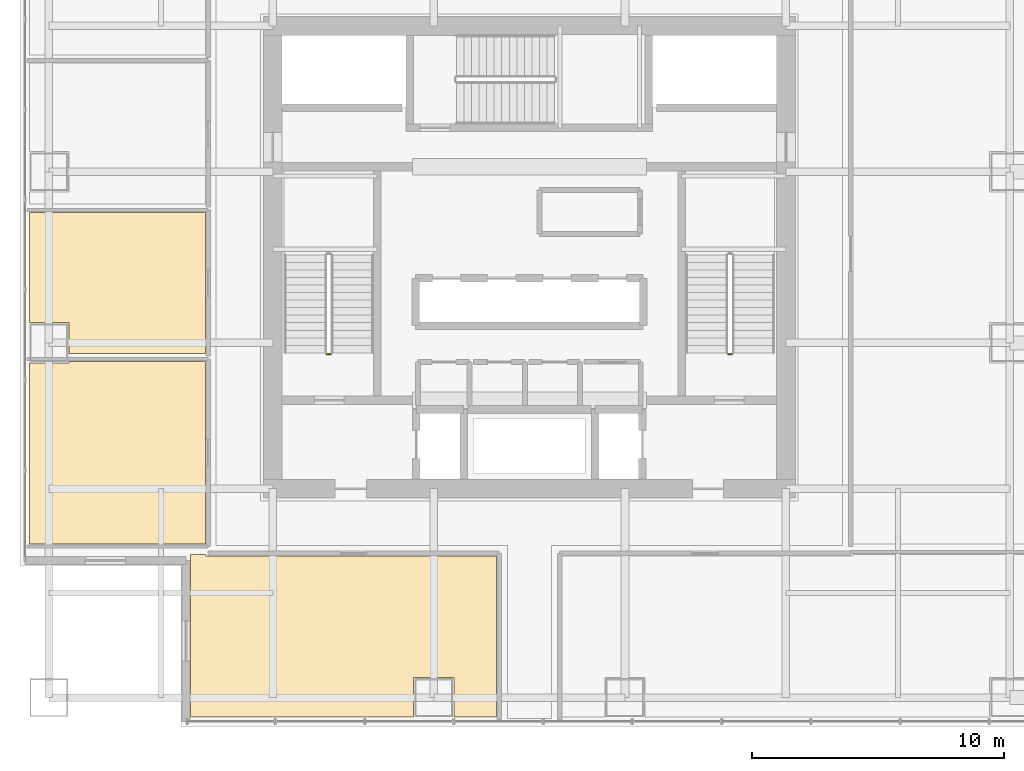
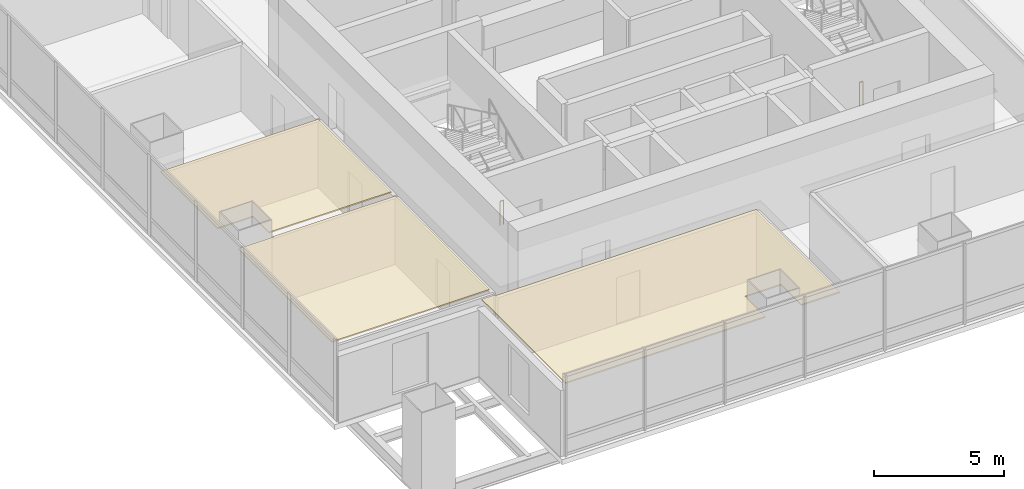
# One storey, part 30 of 34: 3 coverings, 2 railings.
"""IFC4 building model written with IfcOpenShell, lengths in metres."""

import ifcopenshell
import ifcopenshell.guid

model = None  # the IFC model being written
_history = None  # IfcOwnerHistory: only IFC2X3 demands one
_inside = {}  # id of a spatial element -> (the spatial element, [elements in it])
_under = {}  # id of a project, library or spatial element -> (it, [spatial elements below it])
_declared = {}  # id of a project -> (the project, [libraries it declares])
_typed = {}  # id of a type object -> (the type object, [elements of that type])
_made_of = {}  # id of a material, layer set ... -> (it, [elements and type objects made of it])


def new_model(schema):
    """Start an empty IFC model of exactly this schema.

    Asked for "IFC4X3", IfcOpenShell would pick the latest addendum, in which some entities
    have other attributes; the version numbers below select the first issue.
    IFC2X3 requires an IfcOwnerHistory on every rooted entity: one is made here for all.
    """
    global model, _history
    if schema == "IFC4X3":
        model = ifcopenshell.file(schema_version=(4, 3, 0, 0))
    else:
        model = ifcopenshell.file(schema=schema)
    _inside.clear()
    _under.clear()
    _declared.clear()
    _typed.clear()
    _made_of.clear()
    _history = None
    if model.schema == "IFC2X3":
        org = make("IfcOrganization", Name="unknown")
        user = make(
            "IfcPersonAndOrganization",
            ThePerson=make("IfcPerson", FamilyName="unknown"),
            TheOrganization=org,
        )
        app = make(
            "IfcApplication",
            ApplicationDeveloper=org,
            Version="unknown",
            ApplicationFullName="unknown",
            ApplicationIdentifier="unknown",
        )
        _history = make(
            "IfcOwnerHistory",
            OwningUser=user,
            OwningApplication=app,
            ChangeAction="ADDED",
            CreationDate=0,
        )
    return model


def make(cls, **values):
    """One entity of the class cls with the attributes given. An attribute that is None is left unset."""
    return model.create_entity(
        cls, **{name: value for name, value in values.items() if value is not None}
    )


def rooted(cls, **values):
    """An entity with a GlobalId (a new one), such as an element, a storey or a relation."""
    return make(cls, GlobalId=ifcopenshell.guid.new(), OwnerHistory=_history, **values)


def si_unit(unit_type, name, prefix=None):
    """IfcSIUnit, for example si_unit("LENGTHUNIT", "METRE", prefix="MILLI")."""
    return make("IfcSIUnit", UnitType=unit_type, Prefix=prefix, Name=name)


def assignment(units):
    """IfcUnitAssignment: the units of a project."""
    return None if units is None else make("IfcUnitAssignment", Units=units)


def point(xyz):
    """IfcCartesianPoint."""
    return None if xyz is None else make("IfcCartesianPoint", Coordinates=xyz)


def direction(xyz):
    """IfcDirection."""
    return None if xyz is None else make("IfcDirection", DirectionRatios=xyz)


def frame(location, z_axis=None, x_axis=None):
    """IfcAxis2Placement3D, a coordinate frame: its origin and axes. An axis left out is left unset."""
    return make(
        "IfcAxis2Placement3D",
        Location=point(location),
        Axis=direction(z_axis),
        RefDirection=direction(x_axis),
    )


def frame_2d(location, x_axis=None):
    """IfcAxis2Placement2D, a coordinate frame in the plane: its origin and x axis."""
    return make(
        "IfcAxis2Placement2D", Location=point(location), RefDirection=direction(x_axis)
    )


def origin():
    """The frame at (0, 0, 0) with its axes left unset."""
    return frame((0.0, 0.0, 0.0))


def origin_2d():
    """The frame at (0, 0) in the plane with its x axis left unset."""
    return frame_2d((0.0, 0.0))


def place(relative_to, where):
    """IfcLocalPlacement: puts the frame where relative to a parent placement (None: the world)."""
    return make(
        "IfcLocalPlacement", PlacementRelTo=relative_to, RelativePlacement=where
    )


def context(
    kind, dimensions, precision=None, world=None, true_north=None, identifier=None
):
    """IfcGeometricRepresentationContext, for example the 3D "Model" context."""
    return make(
        "IfcGeometricRepresentationContext",
        ContextIdentifier=identifier,
        ContextType=kind,
        CoordinateSpaceDimension=dimensions,
        Precision=precision,
        WorldCoordinateSystem=world,
        TrueNorth=true_north,
    )


def subcontext(parent, identifier, kind, view, scale=None):
    """IfcGeometricRepresentationSubContext, for example "Body" below "Model"."""
    return make(
        "IfcGeometricRepresentationSubContext",
        ContextIdentifier=identifier,
        ContextType=kind,
        ParentContext=parent,
        TargetScale=scale,
        TargetView=view,
    )


def project(units=None, contexts=None):
    """IfcProject with its units and contexts."""
    return rooted(
        "IfcProject",
        Name="project",
        RepresentationContexts=contexts,
        UnitsInContext=assignment(units),
    )


def spatial(cls, under=None, at=None, **own):
    """A site, building, storey or space (cls), placed at a placement, below another one or the project."""
    s = rooted(cls, ObjectPlacement=at, **own)
    if under is not None:
        _under.setdefault(under.id(), (under, []))[1].append(s)
    return s


def polyline(points):
    """IfcPolyline through the points."""
    return make("IfcPolyline", Points=[point(p) for p in points])


def profile(cls, at=None, kind="AREA", **sizes):
    """A parametric profile (cls). Its sizes go by their IFC names, for example OverallWidth=200.0."""
    return make(cls, ProfileType=kind, Position=at, **sizes)


def circle(**sizes):
    """IfcCircleProfileDef."""
    return profile("IfcCircleProfileDef", **sizes)


def outline(outer, holes=None, kind="AREA"):
    """IfcArbitraryClosedProfileDef: a profile drawn as a closed curve; with holes, ...WithVoids."""
    if holes is None:
        return make("IfcArbitraryClosedProfileDef", ProfileType=kind, OuterCurve=outer)
    return make(
        "IfcArbitraryProfileDefWithVoids",
        ProfileType=kind,
        OuterCurve=outer,
        InnerCurves=holes,
    )


def extrude(swept, where, along, depth):
    """IfcExtrudedAreaSolid: the profile swept, set in the frame where, extruded along a direction by depth."""
    return make(
        "IfcExtrudedAreaSolid",
        SweptArea=swept,
        Position=where,
        ExtrudedDirection=direction(along),
        Depth=depth,
    )


def shape(context_of_items, identifier, shape_type, items):
    """IfcShapeRepresentation: the items that make up one representation, for example the "Body"."""
    return make(
        "IfcShapeRepresentation",
        ContextOfItems=context_of_items,
        RepresentationIdentifier=identifier,
        RepresentationType=shape_type,
        Items=items,
    )


def material(Name=None, Category=None):
    """IfcMaterial."""
    return make("IfcMaterial", Name=Name, Category=Category)


def layer(
    of_material, thickness, ventilated=None, Name=None, Category=None, Priority=None
):
    """IfcMaterialLayer: one layer of a wall or slab, of a material (None: an air gap)."""
    return make(
        "IfcMaterialLayer",
        Material=of_material,
        LayerThickness=thickness,
        IsVentilated=ventilated,
        Name=Name,
        Category=Category,
        Priority=Priority,
    )


def layer_set(layers, Name=None):
    """IfcMaterialLayerSet."""
    return make("IfcMaterialLayerSet", MaterialLayers=layers, LayerSetName=Name)


def made_of(thing, what):
    """Note that an element or type object is made of a material, layer set ...; save() writes the relation."""
    if what is not None:
        _made_of.setdefault(what.id(), (what, []))[1].append(thing)
    return thing


def type_object(cls, material=None, **own):
    """A type object (cls), such as IfcWallType, which elements share."""
    return made_of(rooted(cls, **own), material)


def element(
    cls,
    number,
    at=None,
    inside=None,
    cuts=None,
    type_object=None,
    material=None,
    context=None,
    identifier="Body",
    shape_type=None,
    held_by="IfcProductDefinitionShape",
    body=None,
    shapes=None,
    **own,
):
    """One element of the class cls, such as IfcWall. Its Tag is "e" and its number.

    at: its placement. inside: the storey or other place that contains it. cuts: it is an
    opening in that element (IfcRelVoidsElement). A single representation is given by context,
    identifier, shape_type and body (its items); several are given by shapes. held_by: the class
    of the entity that holds the representations. save() writes the other relations.
    """
    e = rooted(cls, Tag="e%d" % number, ObjectPlacement=at, **own)
    if body is not None:
        shapes = [shape(context, identifier, shape_type, body)]
    if shapes is not None:
        e.Representation = make(held_by, Representations=shapes)
    if inside is not None:
        _inside.setdefault(inside.id(), (inside, []))[1].append(e)
    if cuts is not None:
        rooted(
            "IfcRelVoidsElement", RelatingBuildingElement=cuts, RelatedOpeningElement=e
        )
    if type_object is not None:
        _typed.setdefault(type_object.id(), (type_object, []))[1].append(e)
    return made_of(e, material)


def aggregate(whole, parts):
    """IfcRelAggregates: a whole, such as a stair, and the parts it consists of."""
    return rooted("IfcRelAggregates", RelatingObject=whole, RelatedObjects=parts)


def save(model, path):
    """Write the relations noted so far, then the file.

    IfcRelAggregates (storeys below a building ...), IfcRelContainedInSpatialStructure (elements
    in a storey), IfcRelDefinesByType, IfcRelAssociatesMaterial and IfcRelDeclares: one each for
    every whole, place, type object, material and project.
    """
    for whole, parts in _under.values():
        aggregate(whole, parts)
    for where, things in _inside.values():
        rooted(
            "IfcRelContainedInSpatialStructure",
            RelatedElements=things,
            RelatingStructure=where,
        )
    for kind, things in _typed.values():
        rooted("IfcRelDefinesByType", RelatedObjects=things, RelatingType=kind)
    for what, things in _made_of.values():
        rooted("IfcRelAssociatesMaterial", RelatedObjects=things, RelatingMaterial=what)
    for by, libraries in _declared.values():
        rooted("IfcRelDeclares", RelatingContext=by, RelatedDefinitions=libraries)
    model.write(path)


model = new_model("IFC4")

# Units and contexts
model_context = context("Model", 3, precision=1e-05, world=origin(), true_north=direction((0.0, 1.0)))
body_context = subcontext(model_context, "Body", "Model", "MODEL_VIEW")
ifc_project = project(units=[si_unit("LENGTHUNIT", "METRE"), si_unit("AREAUNIT", "SQUARE_METRE"), si_unit("VOLUMEUNIT", "CUBIC_METRE"), si_unit("PLANEANGLEUNIT", "RADIAN"), si_unit("MASSUNIT", "GRAM", prefix="KILO")], contexts=[model_context])

# Site, building, storey
site_placement = place(None, origin())
site = spatial("IfcSite", under=ifc_project, at=site_placement, CompositionType="ELEMENT")
building_placement = place(site_placement, origin())
building = spatial("IfcBuilding", under=site, at=building_placement, Name="Punatoya Terracotta Tower", CompositionType="ELEMENT")
storey_placement = place(building_placement, frame((0.0, 0.0, 117.300048828125)))
storey = spatial("IfcBuildingStorey", under=building, at=storey_placement, Name="L27", CompositionType="ELEMENT", Elevation=117.300048828125)

# Coverings
ifc_material_1 = material(Name="Acoustic Mineral Fibre Ceiling")
ifc_layer = layer(ifc_material_1, 0.06005859375)
ifc_layer_set = layer_set([ifc_layer], Name="Acoustic Mineral Fibre Ceiling")
covering_type = type_object("IfcCoveringType", Name="COV-CEIL-60", PredefinedType="CEILING", material=ifc_layer_set)
covering_1_placement = place(storey_placement, frame((0.0, 0.0, 3.199951171875)))
element("IfcCovering", 1, at=covering_1_placement, inside=storey, type_object=covering_type, Name="L27 Open-Plan Computational Simulation Laboratory Acoustic Ceiling", PredefinedType="CEILING", context=body_context, shape_type="SweptSolid", body=[
    extrude(outline(polyline([(-13.469970703125, -11.81005859375), (-13.469970703125, -18.27001953125), (-4.60009765625, -18.27001953125), (-4.60009765625, -16.699951171875), (-3.0, -16.699951171875), (-3.0, -18.27001953125), (-1.300048828125, -18.27001953125), (-1.300048828125, -11.8701171875), (-12.8701171875, -11.8701171875), (-12.8701171875, -11.81005859375), (-13.469970703125, -11.81005859375)])), origin(), (0.0, 0.0, 1.0), 0.06005859375),
])
covering_2_placement = place(storey_placement, frame((0.0, 0.0, 3.199951171875)))
element("IfcCovering", 2, at=covering_2_placement, inside=storey, type_object=covering_type, Name="L27 Materials Testing Laboratory Acoustic Ceiling", PredefinedType="CEILING", context=body_context, shape_type="SweptSolid", body=[
    extrude(outline(polyline([(-19.8701171875, -4.199951171875), (-19.8701171875, -11.389892578125), (-12.8701171875, -11.389892578125), (-12.8701171875, -4.14990234375), (-18.300048828125, -4.14990234375), (-18.300048828125, -4.199951171875), (-19.8701171875, -4.199951171875)])), origin(), (0.0, 0.0, 1.0), 0.06005859375),
])
covering_3_placement = place(storey_placement, frame((0.0, 0.0, 3.199951171875)))
element("IfcCovering", 3, at=covering_3_placement, inside=storey, type_object=covering_type, Name="L27 Open-Plan Environmental Research Laboratory Acoustic Ceiling", PredefinedType="CEILING", context=body_context, shape_type="SweptSolid", body=[
    extrude(outline(polyline([(-19.8701171875, 1.7900390625), (-19.8701171875, -2.60009765625), (-18.300048828125, -2.60009765625), (-18.300048828125, -3.830078125), (-12.8701171875, -3.830078125), (-12.8701171875, 1.7900390625), (-19.8701171875, 1.7900390625)])), origin(), (0.0, 0.0, 1.0), 0.06005859375),
])

# Railings
ifc_material_2 = material(Name="Steel S355", Category="steel")
railing_type = type_object("IfcRailingType", Name="RLG-GRD-1150", PredefinedType="GUARDRAIL", material=ifc_material_2)
for number, where, name in (
    (4, (-7.89990234375, -3.85009765625, 0.0), "L27 ST-1 stair guard 4"),
    (5, (8.050048828125, -3.85009765625, 0.0), "L27 ST-2 stair guard 4"),
):
    element("IfcRailing", number, at=place(storey_placement, frame(where)), inside=storey, type_object=railing_type, Name=name, PredefinedType="GUARDRAIL", context=body_context, shape_type="SweptSolid", body=[
        extrude(circle(Radius=0.02392578125, at=origin_2d()), frame((0.0, 0.0, 1.1259765625), z_axis=(-1.0, 0.0, 0.0), x_axis=(0.0, -1.0, 0.0)), (0.0, 0.0, 1.0), 0.150146484375),
        extrude(circle(Radius=0.02099609375, at=origin_2d()), origin(), (0.0, 0.0, 1.0), 1.101806640625),
        extrude(circle(Radius=0.02099609375, at=origin_2d()), frame((-0.150146484375, 0.0, 0.0)), (0.0, 0.0, 1.0), 1.101806640625),
    ])

save(model, "model.ifc")
